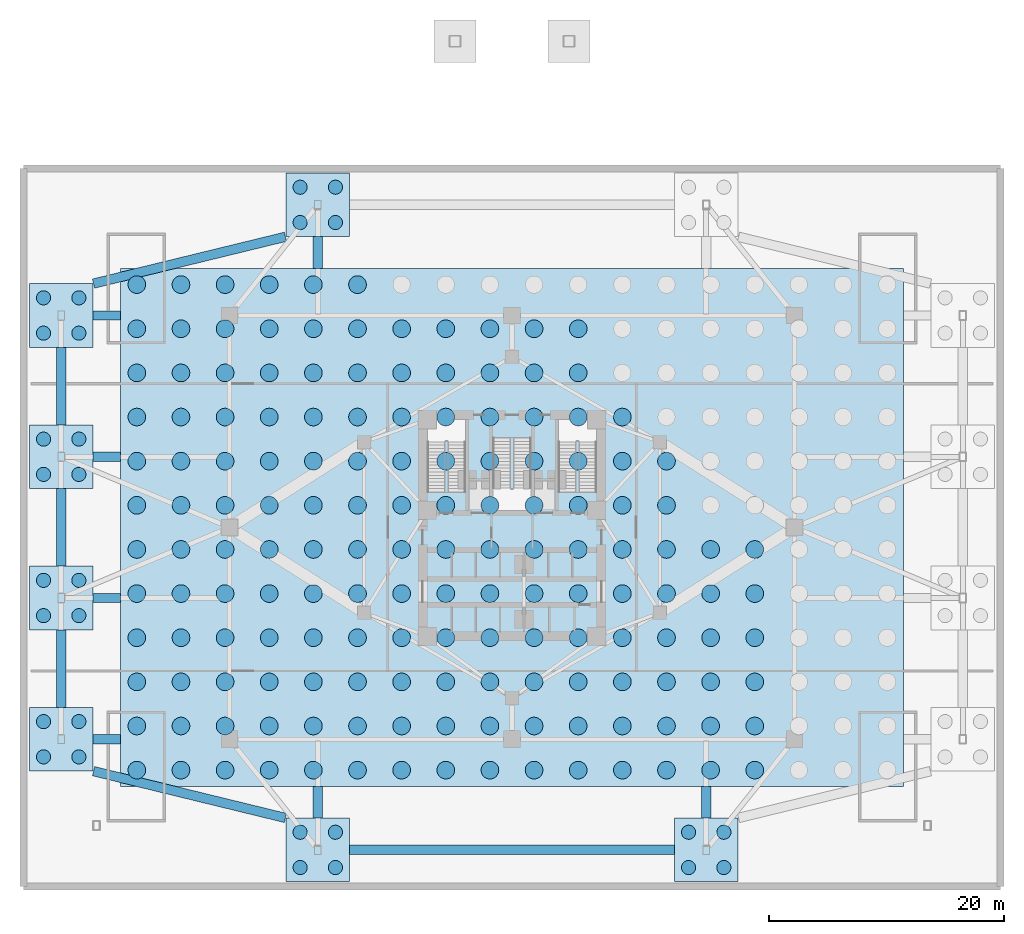
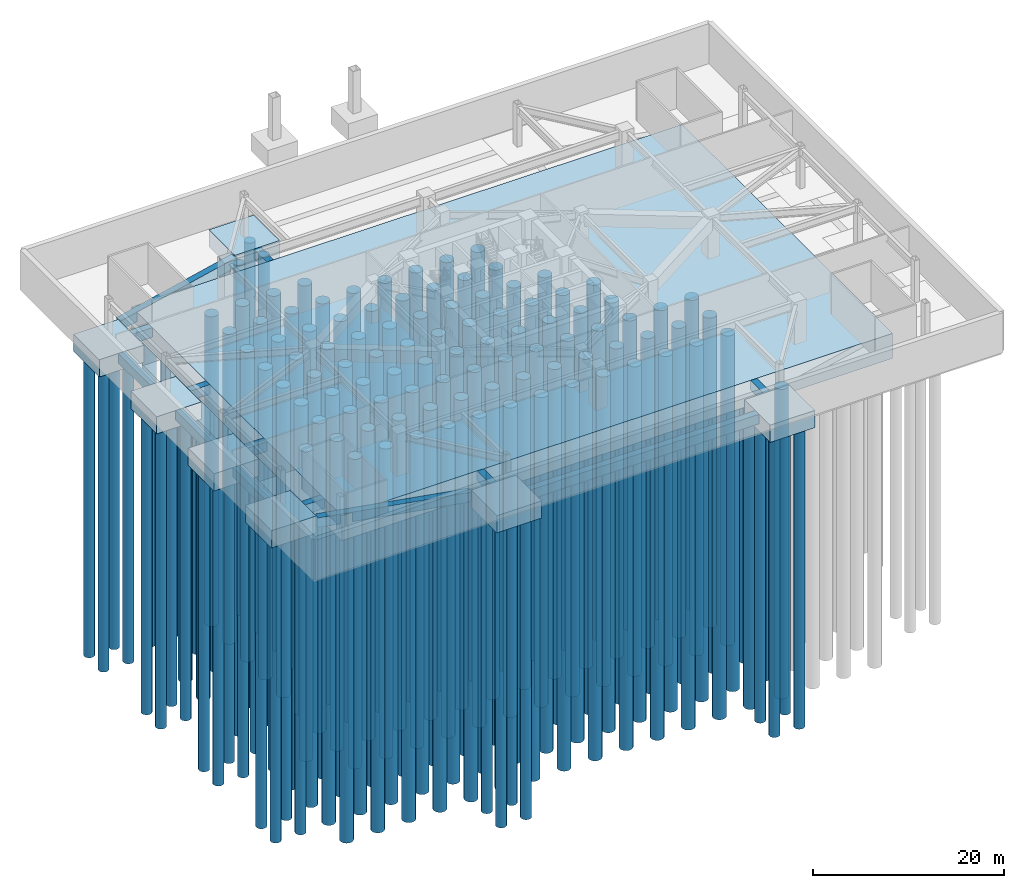
# One storey, part 1 of 8: 184 piles, 21 footings.
"""IFC4 building model written with IfcOpenShell, lengths in metres."""

from ifc_helpers import new_model, si_unit, direction, frame, origin, origin_2d, place, context, subcontext, project, spatial, polyline, rectangle, circle, outline, extrude, material, layer, layer_set, material_profile, profile_set, type_object, element, save


model = new_model("IFC4")

# Units and contexts
model_context = context("Model", 3, precision=1e-05, world=origin(), true_north=direction((0.0, 1.0)))
body_context = subcontext(model_context, "Body", "Model", "MODEL_VIEW")
ifc_project = project(units=[si_unit("LENGTHUNIT", "METRE"), si_unit("AREAUNIT", "SQUARE_METRE"), si_unit("VOLUMEUNIT", "CUBIC_METRE"), si_unit("PLANEANGLEUNIT", "RADIAN"), si_unit("MASSUNIT", "GRAM", prefix="KILO")], contexts=[model_context])

# Site, building, storey
site_placement = place(None, origin())
site = spatial("IfcSite", under=ifc_project, at=site_placement, CompositionType="ELEMENT")
building_placement = place(site_placement, origin())
building = spatial("IfcBuilding", under=site, at=building_placement, Name="Apsidion Concourse Tower", CompositionType="ELEMENT")
storey_placement = place(building_placement, frame((0.0, 0.0, -5.39990234375)))
storey = spatial("IfcBuildingStorey", under=building, at=storey_placement, Name="B01", CompositionType="ELEMENT", Elevation=-5.39990234375)

# Footings
ifc_material = material(Name="Concrete C50/60", Category="concrete")
ifc_layer_1 = layer(ifc_material, 2.199951171875)
ifc_layer_set_1 = layer_set([ifc_layer_1], Name="Concrete C50/60")
footing_type_1 = type_object("IfcFootingType", Name="FT-CAP-PC1", PredefinedType="PILE_CAP", material=ifc_layer_set_1)
footing_1_placement = place(storey_placement, frame((0.0, 0.0, -2.2001953125)))
element("IfcFooting", 1, at=footing_1_placement, inside=storey, type_object=footing_type_1, Name="Podium Pile Cap PC01", PredefinedType="PILE_CAP", context=body_context, shape_type="SweptSolid", body=[
    extrude(outline(polyline([(-41.0, -20.699951171875), (-35.60009765625, -20.699951171875), (-35.60009765625, -15.300048828125), (-41.0, -15.300048828125), (-41.0, -20.699951171875)])), origin(), (0.0, 0.0, 1.0), 2.2001953125),
])
footing_2_placement = place(storey_placement, frame((0.0, 0.0, -2.2001953125)))
element("IfcFooting", 2, at=footing_2_placement, inside=storey, type_object=footing_type_1, Name="Podium Pile Cap PC02", PredefinedType="PILE_CAP", context=body_context, shape_type="SweptSolid", body=[
    extrude(outline(polyline([(-41.0, -8.699951171875), (-35.60009765625, -8.699951171875), (-35.60009765625, -3.300048828125), (-41.0, -3.300048828125), (-41.0, -8.699951171875)])), origin(), (0.0, 0.0, 1.0), 2.2001953125),
])
footing_3_placement = place(storey_placement, frame((0.0, 0.0, -2.2001953125)))
element("IfcFooting", 3, at=footing_3_placement, inside=storey, type_object=footing_type_1, Name="Podium Pile Cap PC03", PredefinedType="PILE_CAP", context=body_context, shape_type="SweptSolid", body=[
    extrude(outline(polyline([(-41.0, 3.300048828125), (-35.60009765625, 3.300048828125), (-35.60009765625, 8.699951171875), (-41.0, 8.699951171875), (-41.0, 3.300048828125)])), origin(), (0.0, 0.0, 1.0), 2.2001953125),
])
footing_4_placement = place(storey_placement, frame((0.0, 0.0, -2.2001953125)))
element("IfcFooting", 4, at=footing_4_placement, inside=storey, type_object=footing_type_1, Name="Podium Pile Cap PC04", PredefinedType="PILE_CAP", context=body_context, shape_type="SweptSolid", body=[
    extrude(outline(polyline([(-41.0, 15.300048828125), (-35.60009765625, 15.300048828125), (-35.60009765625, 20.699951171875), (-41.0, 20.699951171875), (-41.0, 15.300048828125)])), origin(), (0.0, 0.0, 1.0), 2.2001953125),
])
footing_5_placement = place(storey_placement, frame((0.0, 0.0, -2.2001953125)))
element("IfcFooting", 5, at=footing_5_placement, inside=storey, type_object=footing_type_1, Name="Podium Pile Cap PC09", PredefinedType="PILE_CAP", context=body_context, shape_type="SweptSolid", body=[
    extrude(outline(polyline([(-19.199951171875, -30.10009765625), (-13.800048828125, -30.10009765625), (-13.800048828125, -24.699951171875), (-19.199951171875, -24.699951171875), (-19.199951171875, -30.10009765625)])), origin(), (0.0, 0.0, 1.0), 2.2001953125),
])
footing_6_placement = place(storey_placement, frame((0.0, 0.0, -2.2001953125)))
element("IfcFooting", 6, at=footing_6_placement, inside=storey, type_object=footing_type_1, Name="Podium Pile Cap PC10", PredefinedType="PILE_CAP", context=body_context, shape_type="SweptSolid", body=[
    extrude(outline(polyline([(13.800048828125, -30.10009765625), (19.199951171875, -30.10009765625), (19.199951171875, -24.699951171875), (13.800048828125, -24.699951171875), (13.800048828125, -30.10009765625)])), origin(), (0.0, 0.0, 1.0), 2.2001953125),
])
footing_7_placement = place(storey_placement, frame((0.0, 0.0, -2.2001953125)))
element("IfcFooting", 7, at=footing_7_placement, inside=storey, type_object=footing_type_1, Name="Podium Pile Cap PC11", PredefinedType="PILE_CAP", context=body_context, shape_type="SweptSolid", body=[
    extrude(outline(polyline([(-19.199951171875, 24.699951171875), (-13.800048828125, 24.699951171875), (-13.800048828125, 30.10009765625), (-19.199951171875, 30.10009765625), (-19.199951171875, 24.699951171875)])), origin(), (0.0, 0.0, 1.0), 2.2001953125),
])
ifc_layer_2 = layer(ifc_material, 3.199951171875)
ifc_layer_set_2 = layer_set([ifc_layer_2], Name="Concrete C50/60")
footing_type_2 = type_object("IfcFootingType", Name="FT-RAFT-3200", PredefinedType="USERDEFINED", material=ifc_layer_set_2)
footing_8_placement = place(storey_placement, frame((0.0, 0.0, -3.2001953125)))
element("IfcFooting", 8, at=footing_8_placement, inside=storey, type_object=footing_type_2, Name="Tower Piled Raft Foundation FT-RAFT-1", ObjectType="MAT_FOUNDATION", PredefinedType="USERDEFINED", context=body_context, shape_type="SweptSolid", body=[
    extrude(outline(polyline([(-33.25, -22.0), (33.25, -22.0), (33.25, 22.0), (-33.25, 22.0), (-33.25, -22.0)])), origin(), (0.0, 0.0, 1.0), 3.2001953125),
])
ifc_material_profile_1 = material_profile(ifc_material, rectangle(XDim=0.800048828125, YDim=1.199951171875, at=origin_2d()), Name="RC 800x1200")
ifc_profile_set_1 = profile_set([ifc_material_profile_1], Name="Concrete C50/60")
footing_type_3 = type_object("IfcFootingType", Name="FT-TIE-GB1", PredefinedType="FOOTING_BEAM", material=ifc_profile_set_1)
for number, where, z_axis, x_axis, name in (
    (9, (-35.60009765625, -18.0, -0.60009765625), (1.0, 0.0, 0.0), (0.0, 1.0, 0.0), "Foundation Tie Beam GB-01"),
    (10, (-35.60009765625, -6.0, -0.60009765625), (1.0, 0.0, 0.0), (0.0, 1.0, 0.0), "Foundation Tie Beam GB-02"),
    (11, (-35.60009765625, 6.0, -0.60009765625), (1.0, 0.0, 0.0), (0.0, 1.0, 0.0), "Foundation Tie Beam GB-03"),
    (12, (-35.60009765625, 18.0, -0.60009765625), (1.0, 0.0, 0.0), (0.0, 1.0, 0.0), "Foundation Tie Beam GB-04"),
):
    element("IfcFooting", number, at=place(storey_placement, frame(where, z_axis=z_axis, x_axis=x_axis)), inside=storey, type_object=footing_type_3, Name=name, PredefinedType="FOOTING_BEAM", context=body_context, shape_type="SweptSolid", body=[
        extrude(rectangle(XDim=0.800048828125, YDim=1.199951171875, at=origin_2d()), origin(), (0.0, 0.0, 1.0), 2.35009765625),
    ])
for number, where, z_axis, x_axis, name in (
    (13, (-16.5, -24.699951171875, -0.60009765625), (0.0, 1.0, 0.0), (-1.0, 0.0, 0.0), "Foundation Tie Beam GB-09"),
    (14, (16.5, -24.699951171875, -0.60009765625), (0.0, 1.0, 0.0), (-1.0, 0.0, 0.0), "Foundation Tie Beam GB-10"),
    (15, (-16.5, 22.0, -0.60009765625), (0.0, 1.0, 0.0), (-1.0, 0.0, 0.0), "Foundation Tie Beam GB-11"),
):
    element("IfcFooting", number, at=place(storey_placement, frame(where, z_axis=z_axis, x_axis=x_axis)), inside=storey, type_object=footing_type_3, Name=name, PredefinedType="FOOTING_BEAM", context=body_context, shape_type="SweptSolid", body=[
        extrude(rectangle(XDim=0.800048828125, YDim=1.199951171875, at=origin_2d()), origin(), (0.0, 0.0, 1.0), 2.699951171875),
    ])
for number, where, z_axis, x_axis, name in (
    (16, (-38.300048828125, -15.300048828125, -0.60009765625), (0.0, 1.0, 0.0), (-1.0, 0.0, 0.0), "Foundation Tie Beam GB-13"),
    (17, (-38.300048828125, -3.300048828125, -0.60009765625), (0.0, 1.0, 0.0), (-1.0, 0.0, 0.0), "Foundation Tie Beam GB-14"),
    (18, (-38.300048828125, 8.699951171875, -0.60009765625), (0.0, 1.0, 0.0), (-1.0, 0.0, 0.0), "Foundation Tie Beam GB-15"),
):
    element("IfcFooting", number, at=place(storey_placement, frame(where, z_axis=z_axis, x_axis=x_axis)), inside=storey, type_object=footing_type_3, Name=name, PredefinedType="FOOTING_BEAM", context=body_context, shape_type="SweptSolid", body=[
        extrude(rectangle(XDim=0.800048828125, YDim=1.199951171875, at=origin_2d()), origin(), (0.0, 0.0, 1.0), 6.60009765625),
    ])
footing_9_placement = place(storey_placement, frame((-13.800048828125, -27.39990234375, -0.60009765625), z_axis=(1.0, 0.0, 0.0), x_axis=(0.0, 1.0, 0.0)))
element("IfcFooting", 19, at=footing_9_placement, inside=storey, type_object=footing_type_3, Name="Foundation Tie Beam GB-19", PredefinedType="FOOTING_BEAM", context=body_context, shape_type="SweptSolid", body=[
    extrude(rectangle(XDim=0.800048828125, YDim=1.199951171875, at=origin_2d()), origin(), (0.0, 0.0, 1.0), 27.60009765625),
])
for number, where, z_axis, x_axis, name in (
    (20, (-35.551513671875, -20.7119140625, -0.60009765625), (0.971520583848, -0.236955175422, 0.0), (0.236955175422, 0.971520583848, 0.0), "Foundation Tie Beam GB-21"),
    (21, (-35.551513671875, 20.7119140625, -0.60009765625), (0.971520583848, 0.236955175422, 0.0), (-0.236955175422, 0.971520583848, 0.0), "Foundation Tie Beam GB-23"),
):
    element("IfcFooting", number, at=place(storey_placement, frame(where, z_axis=z_axis, x_axis=x_axis)), inside=storey, type_object=footing_type_3, Name=name, PredefinedType="FOOTING_BEAM", context=body_context, shape_type="SweptSolid", body=[
        extrude(rectangle(XDim=0.800048828125, YDim=1.199951171875, at=origin_2d()), origin(), (0.0, 0.0, 1.0), 16.781005859375),
    ])

# Piles
ifc_material_profile_2 = material_profile(ifc_material, circle(Radius=0.60009765625, at=origin_2d()), Name="BORED PILE D1200")
ifc_profile_set_2 = profile_set([ifc_material_profile_2], Name="Concrete C50/60")
pile_type_1 = type_object("IfcPileType", Name="PL-BORED-1200", PredefinedType="BORED", material=ifc_profile_set_2)
for number, where, z_axis, x_axis, name in (
    (22, (-39.800048828125, -19.5, -2.050048828125), (0.0, 0.0, -1.0), (1.0, 0.0, 0.0), "Podium Cap Bored Pile P-1200-PC01"),
    (23, (-39.800048828125, -16.5, -2.050048828125), (0.0, 0.0, -1.0), (1.0, 0.0, 0.0), "Podium Cap Bored Pile P-1200-PC01"),
    (24, (-36.800048828125, -19.5, -2.050048828125), (0.0, 0.0, -1.0), (1.0, 0.0, 0.0), "Podium Cap Bored Pile P-1200-PC01"),
    (25, (-36.800048828125, -16.5, -2.050048828125), (0.0, 0.0, -1.0), (1.0, 0.0, 0.0), "Podium Cap Bored Pile P-1200-PC01"),
    (26, (-39.800048828125, -7.5, -2.050048828125), (0.0, 0.0, -1.0), (1.0, 0.0, 0.0), "Podium Cap Bored Pile P-1200-PC02"),
    (27, (-39.800048828125, -4.5, -2.050048828125), (0.0, 0.0, -1.0), (1.0, 0.0, 0.0), "Podium Cap Bored Pile P-1200-PC02"),
    (28, (-36.800048828125, -7.5, -2.050048828125), (0.0, 0.0, -1.0), (1.0, 0.0, 0.0), "Podium Cap Bored Pile P-1200-PC02"),
    (29, (-36.800048828125, -4.5, -2.050048828125), (0.0, 0.0, -1.0), (1.0, 0.0, 0.0), "Podium Cap Bored Pile P-1200-PC02"),
    (30, (-39.800048828125, 4.5, -2.050048828125), (0.0, 0.0, -1.0), (1.0, 0.0, 0.0), "Podium Cap Bored Pile P-1200-PC03"),
    (31, (-39.800048828125, 7.5, -2.050048828125), (0.0, 0.0, -1.0), (1.0, 0.0, 0.0), "Podium Cap Bored Pile P-1200-PC03"),
    (32, (-36.800048828125, 4.5, -2.050048828125), (0.0, 0.0, -1.0), (1.0, 0.0, 0.0), "Podium Cap Bored Pile P-1200-PC03"),
    (33, (-36.800048828125, 7.5, -2.050048828125), (0.0, 0.0, -1.0), (1.0, 0.0, 0.0), "Podium Cap Bored Pile P-1200-PC03"),
    (34, (-39.800048828125, 16.5, -2.050048828125), (0.0, 0.0, -1.0), (1.0, 0.0, 0.0), "Podium Cap Bored Pile P-1200-PC04"),
    (35, (-39.800048828125, 19.5, -2.050048828125), (0.0, 0.0, -1.0), (1.0, 0.0, 0.0), "Podium Cap Bored Pile P-1200-PC04"),
    (36, (-36.800048828125, 16.5, -2.050048828125), (0.0, 0.0, -1.0), (1.0, 0.0, 0.0), "Podium Cap Bored Pile P-1200-PC04"),
    (37, (-36.800048828125, 19.5, -2.050048828125), (0.0, 0.0, -1.0), (1.0, 0.0, 0.0), "Podium Cap Bored Pile P-1200-PC04"),
    (38, (-18.0, -28.89990234375, -2.050048828125), (0.0, 0.0, -1.0), (1.0, 0.0, 0.0), "Podium Cap Bored Pile P-1200-PC09"),
    (39, (-18.0, -25.89990234375, -2.050048828125), (0.0, 0.0, -1.0), (1.0, 0.0, 0.0), "Podium Cap Bored Pile P-1200-PC09"),
    (40, (-15.0, -28.89990234375, -2.050048828125), (0.0, 0.0, -1.0), (1.0, 0.0, 0.0), "Podium Cap Bored Pile P-1200-PC09"),
    (41, (-15.0, -25.89990234375, -2.050048828125), (0.0, 0.0, -1.0), (1.0, 0.0, 0.0), "Podium Cap Bored Pile P-1200-PC09"),
    (42, (15.0, -28.89990234375, -2.050048828125), (0.0, 0.0, -1.0), (1.0, 0.0, 0.0), "Podium Cap Bored Pile P-1200-PC10"),
    (43, (15.0, -25.89990234375, -2.050048828125), (0.0, 0.0, -1.0), (1.0, 0.0, 0.0), "Podium Cap Bored Pile P-1200-PC10"),
    (44, (18.0, -28.89990234375, -2.050048828125), (0.0, 0.0, -1.0), (1.0, 0.0, 0.0), "Podium Cap Bored Pile P-1200-PC10"),
    (45, (18.0, -25.89990234375, -2.050048828125), (0.0, 0.0, -1.0), (1.0, 0.0, 0.0), "Podium Cap Bored Pile P-1200-PC10"),
    (46, (-18.0, 25.89990234375, -2.050048828125), (0.0, 0.0, -1.0), (1.0, 0.0, 0.0), "Podium Cap Bored Pile P-1200-PC11"),
    (47, (-18.0, 28.89990234375, -2.050048828125), (0.0, 0.0, -1.0), (1.0, 0.0, 0.0), "Podium Cap Bored Pile P-1200-PC11"),
    (48, (-15.0, 25.89990234375, -2.050048828125), (0.0, 0.0, -1.0), (1.0, 0.0, 0.0), "Podium Cap Bored Pile P-1200-PC11"),
    (49, (-15.0, 28.89990234375, -2.050048828125), (0.0, 0.0, -1.0), (1.0, 0.0, 0.0), "Podium Cap Bored Pile P-1200-PC11"),
):
    element("IfcPile", number, at=place(storey_placement, frame(where, z_axis=z_axis, x_axis=x_axis)), inside=storey, type_object=pile_type_1, Name=name, PredefinedType="BORED", context=body_context, shape_type="SweptSolid", body=[
        extrude(circle(Radius=0.60009765625, at=origin_2d()), origin(), (0.0, 0.0, 1.0), 38.550048828125),
    ])
ifc_material_profile_3 = material_profile(ifc_material, circle(Radius=0.75, at=origin_2d()), Name="BORED PILE D1500")
ifc_profile_set_3 = profile_set([ifc_material_profile_3], Name="Concrete C50/60")
pile_type_2 = type_object("IfcPileType", Name="PL-BORED-1500", PredefinedType="BORED", material=ifc_profile_set_3)
for number, where, z_axis, x_axis, name in (
    (50, (-31.875, -20.625, -3.050048828125), (0.0, 0.0, -1.0), (1.0, 0.0, 0.0), "Tower Raft Bored Pile P-1500-001"),
    (51, (-31.875, -16.875, -3.050048828125), (0.0, 0.0, -1.0), (1.0, 0.0, 0.0), "Tower Raft Bored Pile P-1500-002"),
    (52, (-31.875, -13.125, -3.050048828125), (0.0, 0.0, -1.0), (1.0, 0.0, 0.0), "Tower Raft Bored Pile P-1500-003"),
    (53, (-31.875, -9.375, -3.050048828125), (0.0, 0.0, -1.0), (1.0, 0.0, 0.0), "Tower Raft Bored Pile P-1500-004"),
    (54, (-31.875, -5.625, -3.050048828125), (0.0, 0.0, -1.0), (1.0, 0.0, 0.0), "Tower Raft Bored Pile P-1500-005"),
    (55, (-31.875, -1.875, -3.050048828125), (0.0, 0.0, -1.0), (1.0, 0.0, 0.0), "Tower Raft Bored Pile P-1500-006"),
    (56, (-31.875, 1.875, -3.050048828125), (0.0, 0.0, -1.0), (1.0, 0.0, 0.0), "Tower Raft Bored Pile P-1500-007"),
    (57, (-31.875, 5.625, -3.050048828125), (0.0, 0.0, -1.0), (1.0, 0.0, 0.0), "Tower Raft Bored Pile P-1500-008"),
    (58, (-31.875, 9.375, -3.050048828125), (0.0, 0.0, -1.0), (1.0, 0.0, 0.0), "Tower Raft Bored Pile P-1500-009"),
    (59, (-31.875, 13.125, -3.050048828125), (0.0, 0.0, -1.0), (1.0, 0.0, 0.0), "Tower Raft Bored Pile P-1500-010"),
    (60, (-31.875, 16.875, -3.050048828125), (0.0, 0.0, -1.0), (1.0, 0.0, 0.0), "Tower Raft Bored Pile P-1500-011"),
    (61, (-31.875, 20.625, -3.050048828125), (0.0, 0.0, -1.0), (1.0, 0.0, 0.0), "Tower Raft Bored Pile P-1500-012"),
    (62, (-28.125, -20.625, -3.050048828125), (0.0, 0.0, -1.0), (1.0, 0.0, 0.0), "Tower Raft Bored Pile P-1500-013"),
    (63, (-28.125, -16.875, -3.050048828125), (0.0, 0.0, -1.0), (1.0, 0.0, 0.0), "Tower Raft Bored Pile P-1500-014"),
    (64, (-28.125, -13.125, -3.050048828125), (0.0, 0.0, -1.0), (1.0, 0.0, 0.0), "Tower Raft Bored Pile P-1500-015"),
    (65, (-28.125, -9.375, -3.050048828125), (0.0, 0.0, -1.0), (1.0, 0.0, 0.0), "Tower Raft Bored Pile P-1500-016"),
    (66, (-28.125, -5.625, -3.050048828125), (0.0, 0.0, -1.0), (1.0, 0.0, 0.0), "Tower Raft Bored Pile P-1500-017"),
    (67, (-28.125, -1.875, -3.050048828125), (0.0, 0.0, -1.0), (1.0, 0.0, 0.0), "Tower Raft Bored Pile P-1500-018"),
    (68, (-28.125, 1.875, -3.050048828125), (0.0, 0.0, -1.0), (1.0, 0.0, 0.0), "Tower Raft Bored Pile P-1500-019"),
    (69, (-28.125, 5.625, -3.050048828125), (0.0, 0.0, -1.0), (1.0, 0.0, 0.0), "Tower Raft Bored Pile P-1500-020"),
    (70, (-28.125, 9.375, -3.050048828125), (0.0, 0.0, -1.0), (1.0, 0.0, 0.0), "Tower Raft Bored Pile P-1500-021"),
    (71, (-28.125, 13.125, -3.050048828125), (0.0, 0.0, -1.0), (1.0, 0.0, 0.0), "Tower Raft Bored Pile P-1500-022"),
    (72, (-28.125, 16.875, -3.050048828125), (0.0, 0.0, -1.0), (1.0, 0.0, 0.0), "Tower Raft Bored Pile P-1500-023"),
    (73, (-28.125, 20.625, -3.050048828125), (0.0, 0.0, -1.0), (1.0, 0.0, 0.0), "Tower Raft Bored Pile P-1500-024"),
    (74, (-24.375, -20.625, -3.050048828125), (0.0, 0.0, -1.0), (1.0, 0.0, 0.0), "Tower Raft Bored Pile P-1500-025"),
    (75, (-24.375, -16.875, -3.050048828125), (0.0, 0.0, -1.0), (1.0, 0.0, 0.0), "Tower Raft Bored Pile P-1500-026"),
    (76, (-24.375, -13.125, -3.050048828125), (0.0, 0.0, -1.0), (1.0, 0.0, 0.0), "Tower Raft Bored Pile P-1500-027"),
    (77, (-24.375, -9.375, -3.050048828125), (0.0, 0.0, -1.0), (1.0, 0.0, 0.0), "Tower Raft Bored Pile P-1500-028"),
    (78, (-24.375, -5.625, -3.050048828125), (0.0, 0.0, -1.0), (1.0, 0.0, 0.0), "Tower Raft Bored Pile P-1500-029"),
    (79, (-24.375, -1.875, -3.050048828125), (0.0, 0.0, -1.0), (1.0, 0.0, 0.0), "Tower Raft Bored Pile P-1500-030"),
    (80, (-24.375, 1.875, -3.050048828125), (0.0, 0.0, -1.0), (1.0, 0.0, 0.0), "Tower Raft Bored Pile P-1500-031"),
    (81, (-24.375, 5.625, -3.050048828125), (0.0, 0.0, -1.0), (1.0, 0.0, 0.0), "Tower Raft Bored Pile P-1500-032"),
    (82, (-24.375, 9.375, -3.050048828125), (0.0, 0.0, -1.0), (1.0, 0.0, 0.0), "Tower Raft Bored Pile P-1500-033"),
    (83, (-24.375, 13.125, -3.050048828125), (0.0, 0.0, -1.0), (1.0, 0.0, 0.0), "Tower Raft Bored Pile P-1500-034"),
    (84, (-24.375, 16.875, -3.050048828125), (0.0, 0.0, -1.0), (1.0, 0.0, 0.0), "Tower Raft Bored Pile P-1500-035"),
    (85, (-24.375, 20.625, -3.050048828125), (0.0, 0.0, -1.0), (1.0, 0.0, 0.0), "Tower Raft Bored Pile P-1500-036"),
    (86, (-20.625, -20.625, -3.050048828125), (0.0, 0.0, -1.0), (1.0, 0.0, 0.0), "Tower Raft Bored Pile P-1500-037"),
    (87, (-20.625, -16.875, -3.050048828125), (0.0, 0.0, -1.0), (1.0, 0.0, 0.0), "Tower Raft Bored Pile P-1500-038"),
    (88, (-20.625, -13.125, -3.050048828125), (0.0, 0.0, -1.0), (1.0, 0.0, 0.0), "Tower Raft Bored Pile P-1500-039"),
    (89, (-20.625, -9.375, -3.050048828125), (0.0, 0.0, -1.0), (1.0, 0.0, 0.0), "Tower Raft Bored Pile P-1500-040"),
    (90, (-20.625, -5.625, -3.050048828125), (0.0, 0.0, -1.0), (1.0, 0.0, 0.0), "Tower Raft Bored Pile P-1500-041"),
    (91, (-20.625, -1.875, -3.050048828125), (0.0, 0.0, -1.0), (1.0, 0.0, 0.0), "Tower Raft Bored Pile P-1500-042"),
    (92, (-20.625, 1.875, -3.050048828125), (0.0, 0.0, -1.0), (1.0, 0.0, 0.0), "Tower Raft Bored Pile P-1500-043"),
    (93, (-20.625, 5.625, -3.050048828125), (0.0, 0.0, -1.0), (1.0, 0.0, 0.0), "Tower Raft Bored Pile P-1500-044"),
    (94, (-20.625, 9.375, -3.050048828125), (0.0, 0.0, -1.0), (1.0, 0.0, 0.0), "Tower Raft Bored Pile P-1500-045"),
    (95, (-20.625, 13.125, -3.050048828125), (0.0, 0.0, -1.0), (1.0, 0.0, 0.0), "Tower Raft Bored Pile P-1500-046"),
    (96, (-20.625, 16.875, -3.050048828125), (0.0, 0.0, -1.0), (1.0, 0.0, 0.0), "Tower Raft Bored Pile P-1500-047"),
    (97, (-20.625, 20.625, -3.050048828125), (0.0, 0.0, -1.0), (1.0, 0.0, 0.0), "Tower Raft Bored Pile P-1500-048"),
    (98, (-16.875, -20.625, -3.050048828125), (0.0, 0.0, -1.0), (1.0, 0.0, 0.0), "Tower Raft Bored Pile P-1500-049"),
    (99, (-16.875, -16.875, -3.050048828125), (0.0, 0.0, -1.0), (1.0, 0.0, 0.0), "Tower Raft Bored Pile P-1500-050"),
    (100, (-16.875, -13.125, -3.050048828125), (0.0, 0.0, -1.0), (1.0, 0.0, 0.0), "Tower Raft Bored Pile P-1500-051"),
    (101, (-16.875, -9.375, -3.050048828125), (0.0, 0.0, -1.0), (1.0, 0.0, 0.0), "Tower Raft Bored Pile P-1500-052"),
    (102, (-16.875, -5.625, -3.050048828125), (0.0, 0.0, -1.0), (1.0, 0.0, 0.0), "Tower Raft Bored Pile P-1500-053"),
    (103, (-16.875, -1.875, -3.050048828125), (0.0, 0.0, -1.0), (1.0, 0.0, 0.0), "Tower Raft Bored Pile P-1500-054"),
    (104, (-16.875, 1.875, -3.050048828125), (0.0, 0.0, -1.0), (1.0, 0.0, 0.0), "Tower Raft Bored Pile P-1500-055"),
    (105, (-16.875, 5.625, -3.050048828125), (0.0, 0.0, -1.0), (1.0, 0.0, 0.0), "Tower Raft Bored Pile P-1500-056"),
    (106, (-16.875, 9.375, -3.050048828125), (0.0, 0.0, -1.0), (1.0, 0.0, 0.0), "Tower Raft Bored Pile P-1500-057"),
    (107, (-16.875, 13.125, -3.050048828125), (0.0, 0.0, -1.0), (1.0, 0.0, 0.0), "Tower Raft Bored Pile P-1500-058"),
    (108, (-16.875, 16.875, -3.050048828125), (0.0, 0.0, -1.0), (1.0, 0.0, 0.0), "Tower Raft Bored Pile P-1500-059"),
    (109, (-16.875, 20.625, -3.050048828125), (0.0, 0.0, -1.0), (1.0, 0.0, 0.0), "Tower Raft Bored Pile P-1500-060"),
    (110, (-13.125, -20.625, -3.050048828125), (0.0, 0.0, -1.0), (1.0, 0.0, 0.0), "Tower Raft Bored Pile P-1500-061"),
    (111, (-13.125, -16.875, -3.050048828125), (0.0, 0.0, -1.0), (1.0, 0.0, 0.0), "Tower Raft Bored Pile P-1500-062"),
    (112, (-13.125, -13.125, -3.050048828125), (0.0, 0.0, -1.0), (1.0, 0.0, 0.0), "Tower Raft Bored Pile P-1500-063"),
    (113, (-13.125, -9.375, -3.050048828125), (0.0, 0.0, -1.0), (1.0, 0.0, 0.0), "Tower Raft Bored Pile P-1500-064"),
    (114, (-13.125, -5.625, -3.050048828125), (0.0, 0.0, -1.0), (1.0, 0.0, 0.0), "Tower Raft Bored Pile P-1500-065"),
    (115, (-13.125, -1.875, -3.050048828125), (0.0, 0.0, -1.0), (1.0, 0.0, 0.0), "Tower Raft Bored Pile P-1500-066"),
    (116, (-13.125, 1.875, -3.050048828125), (0.0, 0.0, -1.0), (1.0, 0.0, 0.0), "Tower Raft Bored Pile P-1500-067"),
    (117, (-13.125, 5.625, -3.050048828125), (0.0, 0.0, -1.0), (1.0, 0.0, 0.0), "Tower Raft Bored Pile P-1500-068"),
    (118, (-13.125, 9.375, -3.050048828125), (0.0, 0.0, -1.0), (1.0, 0.0, 0.0), "Tower Raft Bored Pile P-1500-069"),
    (119, (-13.125, 13.125, -3.050048828125), (0.0, 0.0, -1.0), (1.0, 0.0, 0.0), "Tower Raft Bored Pile P-1500-070"),
    (120, (-13.125, 16.875, -3.050048828125), (0.0, 0.0, -1.0), (1.0, 0.0, 0.0), "Tower Raft Bored Pile P-1500-071"),
    (121, (-13.125, 20.625, -3.050048828125), (0.0, 0.0, -1.0), (1.0, 0.0, 0.0), "Tower Raft Bored Pile P-1500-072"),
    (122, (-9.375, -20.625, -3.050048828125), (0.0, 0.0, -1.0), (1.0, 0.0, 0.0), "Tower Raft Bored Pile P-1500-073"),
    (123, (-9.375, -16.875, -3.050048828125), (0.0, 0.0, -1.0), (1.0, 0.0, 0.0), "Tower Raft Bored Pile P-1500-074"),
    (124, (-9.375, -13.125, -3.050048828125), (0.0, 0.0, -1.0), (1.0, 0.0, 0.0), "Tower Raft Bored Pile P-1500-075"),
    (125, (-9.375, -9.375, -3.050048828125), (0.0, 0.0, -1.0), (1.0, 0.0, 0.0), "Tower Raft Bored Pile P-1500-076"),
    (126, (-9.375, -5.625, -3.050048828125), (0.0, 0.0, -1.0), (1.0, 0.0, 0.0), "Tower Raft Bored Pile P-1500-077"),
    (127, (-9.375, -1.875, -3.050048828125), (0.0, 0.0, -1.0), (1.0, 0.0, 0.0), "Tower Raft Bored Pile P-1500-078"),
    (128, (-9.375, 1.875, -3.050048828125), (0.0, 0.0, -1.0), (1.0, 0.0, 0.0), "Tower Raft Bored Pile P-1500-079"),
    (129, (-9.375, 5.625, -3.050048828125), (0.0, 0.0, -1.0), (1.0, 0.0, 0.0), "Tower Raft Bored Pile P-1500-080"),
    (130, (-9.375, 9.375, -3.050048828125), (0.0, 0.0, -1.0), (1.0, 0.0, 0.0), "Tower Raft Bored Pile P-1500-081"),
    (131, (-9.375, 13.125, -3.050048828125), (0.0, 0.0, -1.0), (1.0, 0.0, 0.0), "Tower Raft Bored Pile P-1500-082"),
    (132, (-9.375, 16.875, -3.050048828125), (0.0, 0.0, -1.0), (1.0, 0.0, 0.0), "Tower Raft Bored Pile P-1500-083"),
    (133, (-5.625, -20.625, -3.050048828125), (0.0, 0.0, -1.0), (1.0, 0.0, 0.0), "Tower Raft Bored Pile P-1500-085"),
    (134, (-5.625, -16.875, -3.050048828125), (0.0, 0.0, -1.0), (1.0, 0.0, 0.0), "Tower Raft Bored Pile P-1500-086"),
    (135, (-5.625, -13.125, -3.050048828125), (0.0, 0.0, -1.0), (1.0, 0.0, 0.0), "Tower Raft Bored Pile P-1500-087"),
    (136, (-5.625, -9.375, -3.050048828125), (0.0, 0.0, -1.0), (1.0, 0.0, 0.0), "Tower Raft Bored Pile P-1500-088"),
    (137, (-5.625, -5.625, -3.050048828125), (0.0, 0.0, -1.0), (1.0, 0.0, 0.0), "Tower Raft Bored Pile P-1500-089"),
    (138, (-5.625, -1.875, -3.050048828125), (0.0, 0.0, -1.0), (1.0, 0.0, 0.0), "Tower Raft Bored Pile P-1500-090"),
    (139, (-5.625, 1.875, -3.050048828125), (0.0, 0.0, -1.0), (1.0, 0.0, 0.0), "Tower Raft Bored Pile P-1500-091"),
    (140, (-5.625, 5.625, -3.050048828125), (0.0, 0.0, -1.0), (1.0, 0.0, 0.0), "Tower Raft Bored Pile P-1500-092"),
    (141, (-5.625, 9.375, -3.050048828125), (0.0, 0.0, -1.0), (1.0, 0.0, 0.0), "Tower Raft Bored Pile P-1500-093"),
    (142, (-5.625, 13.125, -3.050048828125), (0.0, 0.0, -1.0), (1.0, 0.0, 0.0), "Tower Raft Bored Pile P-1500-094"),
    (143, (-5.625, 16.875, -3.050048828125), (0.0, 0.0, -1.0), (1.0, 0.0, 0.0), "Tower Raft Bored Pile P-1500-095"),
    (144, (-1.875, -20.625, -3.050048828125), (0.0, 0.0, -1.0), (1.0, 0.0, 0.0), "Tower Raft Bored Pile P-1500-097"),
    (145, (-1.875, -16.875, -3.050048828125), (0.0, 0.0, -1.0), (1.0, 0.0, 0.0), "Tower Raft Bored Pile P-1500-098"),
    (146, (-1.875, -13.125, -3.050048828125), (0.0, 0.0, -1.0), (1.0, 0.0, 0.0), "Tower Raft Bored Pile P-1500-099"),
    (147, (-1.875, -9.375, -3.050048828125), (0.0, 0.0, -1.0), (1.0, 0.0, 0.0), "Tower Raft Bored Pile P-1500-100"),
    (148, (-1.875, -5.625, -3.050048828125), (0.0, 0.0, -1.0), (1.0, 0.0, 0.0), "Tower Raft Bored Pile P-1500-101"),
    (149, (-1.875, -1.875, -3.050048828125), (0.0, 0.0, -1.0), (1.0, 0.0, 0.0), "Tower Raft Bored Pile P-1500-102"),
    (150, (-1.875, 1.875, -3.050048828125), (0.0, 0.0, -1.0), (1.0, 0.0, 0.0), "Tower Raft Bored Pile P-1500-103"),
    (151, (-1.875, 5.625, -3.050048828125), (0.0, 0.0, -1.0), (1.0, 0.0, 0.0), "Tower Raft Bored Pile P-1500-104"),
    (152, (-1.875, 9.375, -3.050048828125), (0.0, 0.0, -1.0), (1.0, 0.0, 0.0), "Tower Raft Bored Pile P-1500-105"),
    (153, (-1.875, 13.125, -3.050048828125), (0.0, 0.0, -1.0), (1.0, 0.0, 0.0), "Tower Raft Bored Pile P-1500-106"),
    (154, (-1.875, 16.875, -3.050048828125), (0.0, 0.0, -1.0), (1.0, 0.0, 0.0), "Tower Raft Bored Pile P-1500-107"),
    (155, (1.875, -20.625, -3.050048828125), (0.0, 0.0, -1.0), (1.0, 0.0, 0.0), "Tower Raft Bored Pile P-1500-109"),
    (156, (1.875, -16.875, -3.050048828125), (0.0, 0.0, -1.0), (1.0, 0.0, 0.0), "Tower Raft Bored Pile P-1500-110"),
    (157, (1.875, -13.125, -3.050048828125), (0.0, 0.0, -1.0), (1.0, 0.0, 0.0), "Tower Raft Bored Pile P-1500-111"),
    (158, (1.875, -9.375, -3.050048828125), (0.0, 0.0, -1.0), (1.0, 0.0, 0.0), "Tower Raft Bored Pile P-1500-112"),
    (159, (1.875, -5.625, -3.050048828125), (0.0, 0.0, -1.0), (1.0, 0.0, 0.0), "Tower Raft Bored Pile P-1500-113"),
    (160, (1.875, -1.875, -3.050048828125), (0.0, 0.0, -1.0), (1.0, 0.0, 0.0), "Tower Raft Bored Pile P-1500-114"),
    (161, (1.875, 1.875, -3.050048828125), (0.0, 0.0, -1.0), (1.0, 0.0, 0.0), "Tower Raft Bored Pile P-1500-115"),
    (162, (1.875, 5.625, -3.050048828125), (0.0, 0.0, -1.0), (1.0, 0.0, 0.0), "Tower Raft Bored Pile P-1500-116"),
    (163, (1.875, 9.375, -3.050048828125), (0.0, 0.0, -1.0), (1.0, 0.0, 0.0), "Tower Raft Bored Pile P-1500-117"),
    (164, (1.875, 13.125, -3.050048828125), (0.0, 0.0, -1.0), (1.0, 0.0, 0.0), "Tower Raft Bored Pile P-1500-118"),
    (165, (1.875, 16.875, -3.050048828125), (0.0, 0.0, -1.0), (1.0, 0.0, 0.0), "Tower Raft Bored Pile P-1500-119"),
    (166, (5.625, -20.625, -3.050048828125), (0.0, 0.0, -1.0), (1.0, 0.0, 0.0), "Tower Raft Bored Pile P-1500-121"),
    (167, (5.625, -16.875, -3.050048828125), (0.0, 0.0, -1.0), (1.0, 0.0, 0.0), "Tower Raft Bored Pile P-1500-122"),
    (168, (5.625, -13.125, -3.050048828125), (0.0, 0.0, -1.0), (1.0, 0.0, 0.0), "Tower Raft Bored Pile P-1500-123"),
    (169, (5.625, -9.375, -3.050048828125), (0.0, 0.0, -1.0), (1.0, 0.0, 0.0), "Tower Raft Bored Pile P-1500-124"),
    (170, (5.625, -5.625, -3.050048828125), (0.0, 0.0, -1.0), (1.0, 0.0, 0.0), "Tower Raft Bored Pile P-1500-125"),
    (171, (5.625, -1.875, -3.050048828125), (0.0, 0.0, -1.0), (1.0, 0.0, 0.0), "Tower Raft Bored Pile P-1500-126"),
    (172, (5.625, 1.875, -3.050048828125), (0.0, 0.0, -1.0), (1.0, 0.0, 0.0), "Tower Raft Bored Pile P-1500-127"),
    (173, (5.625, 5.625, -3.050048828125), (0.0, 0.0, -1.0), (1.0, 0.0, 0.0), "Tower Raft Bored Pile P-1500-128"),
    (174, (5.625, 9.375, -3.050048828125), (0.0, 0.0, -1.0), (1.0, 0.0, 0.0), "Tower Raft Bored Pile P-1500-129"),
    (175, (5.625, 13.125, -3.050048828125), (0.0, 0.0, -1.0), (1.0, 0.0, 0.0), "Tower Raft Bored Pile P-1500-130"),
    (176, (5.625, 16.875, -3.050048828125), (0.0, 0.0, -1.0), (1.0, 0.0, 0.0), "Tower Raft Bored Pile P-1500-131"),
    (177, (9.375, -20.625, -3.050048828125), (0.0, 0.0, -1.0), (1.0, 0.0, 0.0), "Tower Raft Bored Pile P-1500-133"),
    (178, (9.375, -16.875, -3.050048828125), (0.0, 0.0, -1.0), (1.0, 0.0, 0.0), "Tower Raft Bored Pile P-1500-134"),
    (179, (9.375, -13.125, -3.050048828125), (0.0, 0.0, -1.0), (1.0, 0.0, 0.0), "Tower Raft Bored Pile P-1500-135"),
    (180, (9.375, -9.375, -3.050048828125), (0.0, 0.0, -1.0), (1.0, 0.0, 0.0), "Tower Raft Bored Pile P-1500-136"),
    (181, (9.375, -5.625, -3.050048828125), (0.0, 0.0, -1.0), (1.0, 0.0, 0.0), "Tower Raft Bored Pile P-1500-137"),
    (182, (9.375, -1.875, -3.050048828125), (0.0, 0.0, -1.0), (1.0, 0.0, 0.0), "Tower Raft Bored Pile P-1500-138"),
    (183, (9.375, 1.875, -3.050048828125), (0.0, 0.0, -1.0), (1.0, 0.0, 0.0), "Tower Raft Bored Pile P-1500-139"),
    (184, (9.375, 5.625, -3.050048828125), (0.0, 0.0, -1.0), (1.0, 0.0, 0.0), "Tower Raft Bored Pile P-1500-140"),
    (185, (9.375, 9.375, -3.050048828125), (0.0, 0.0, -1.0), (1.0, 0.0, 0.0), "Tower Raft Bored Pile P-1500-141"),
    (186, (13.125, -20.625, -3.050048828125), (0.0, 0.0, -1.0), (1.0, 0.0, 0.0), "Tower Raft Bored Pile P-1500-145"),
    (187, (13.125, -16.875, -3.050048828125), (0.0, 0.0, -1.0), (1.0, 0.0, 0.0), "Tower Raft Bored Pile P-1500-146"),
    (188, (13.125, -13.125, -3.050048828125), (0.0, 0.0, -1.0), (1.0, 0.0, 0.0), "Tower Raft Bored Pile P-1500-147"),
    (189, (13.125, -9.375, -3.050048828125), (0.0, 0.0, -1.0), (1.0, 0.0, 0.0), "Tower Raft Bored Pile P-1500-148"),
    (190, (13.125, -5.625, -3.050048828125), (0.0, 0.0, -1.0), (1.0, 0.0, 0.0), "Tower Raft Bored Pile P-1500-149"),
    (191, (13.125, -1.875, -3.050048828125), (0.0, 0.0, -1.0), (1.0, 0.0, 0.0), "Tower Raft Bored Pile P-1500-150"),
    (192, (13.125, 1.875, -3.050048828125), (0.0, 0.0, -1.0), (1.0, 0.0, 0.0), "Tower Raft Bored Pile P-1500-151"),
    (193, (13.125, 5.625, -3.050048828125), (0.0, 0.0, -1.0), (1.0, 0.0, 0.0), "Tower Raft Bored Pile P-1500-152"),
    (194, (16.875, -20.625, -3.050048828125), (0.0, 0.0, -1.0), (1.0, 0.0, 0.0), "Tower Raft Bored Pile P-1500-157"),
    (195, (16.875, -16.875, -3.050048828125), (0.0, 0.0, -1.0), (1.0, 0.0, 0.0), "Tower Raft Bored Pile P-1500-158"),
    (196, (16.875, -13.125, -3.050048828125), (0.0, 0.0, -1.0), (1.0, 0.0, 0.0), "Tower Raft Bored Pile P-1500-159"),
    (197, (16.875, -9.375, -3.050048828125), (0.0, 0.0, -1.0), (1.0, 0.0, 0.0), "Tower Raft Bored Pile P-1500-160"),
    (198, (16.875, -5.625, -3.050048828125), (0.0, 0.0, -1.0), (1.0, 0.0, 0.0), "Tower Raft Bored Pile P-1500-161"),
    (199, (16.875, -1.875, -3.050048828125), (0.0, 0.0, -1.0), (1.0, 0.0, 0.0), "Tower Raft Bored Pile P-1500-162"),
    (200, (20.625, -20.625, -3.050048828125), (0.0, 0.0, -1.0), (1.0, 0.0, 0.0), "Tower Raft Bored Pile P-1500-169"),
    (201, (20.625, -16.875, -3.050048828125), (0.0, 0.0, -1.0), (1.0, 0.0, 0.0), "Tower Raft Bored Pile P-1500-170"),
    (202, (20.625, -13.125, -3.050048828125), (0.0, 0.0, -1.0), (1.0, 0.0, 0.0), "Tower Raft Bored Pile P-1500-171"),
    (203, (20.625, -9.375, -3.050048828125), (0.0, 0.0, -1.0), (1.0, 0.0, 0.0), "Tower Raft Bored Pile P-1500-172"),
    (204, (20.625, -5.625, -3.050048828125), (0.0, 0.0, -1.0), (1.0, 0.0, 0.0), "Tower Raft Bored Pile P-1500-173"),
    (205, (20.625, -1.875, -3.050048828125), (0.0, 0.0, -1.0), (1.0, 0.0, 0.0), "Tower Raft Bored Pile P-1500-174"),
):
    element("IfcPile", number, at=place(storey_placement, frame(where, z_axis=z_axis, x_axis=x_axis)), inside=storey, type_object=pile_type_2, Name=name, PredefinedType="BORED", context=body_context, shape_type="SweptSolid", body=[
        extrude(circle(Radius=0.75, at=origin_2d()), origin(), (0.0, 0.0, 1.0), 39.550048828125),
    ])

save(model, "model.ifc")
